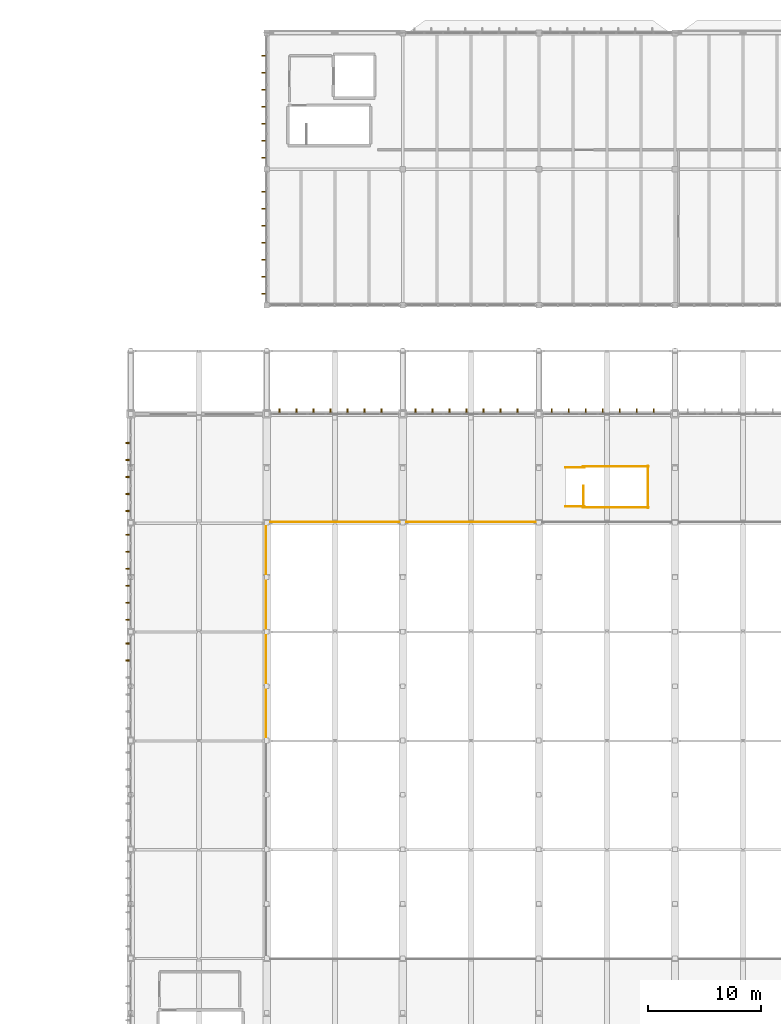
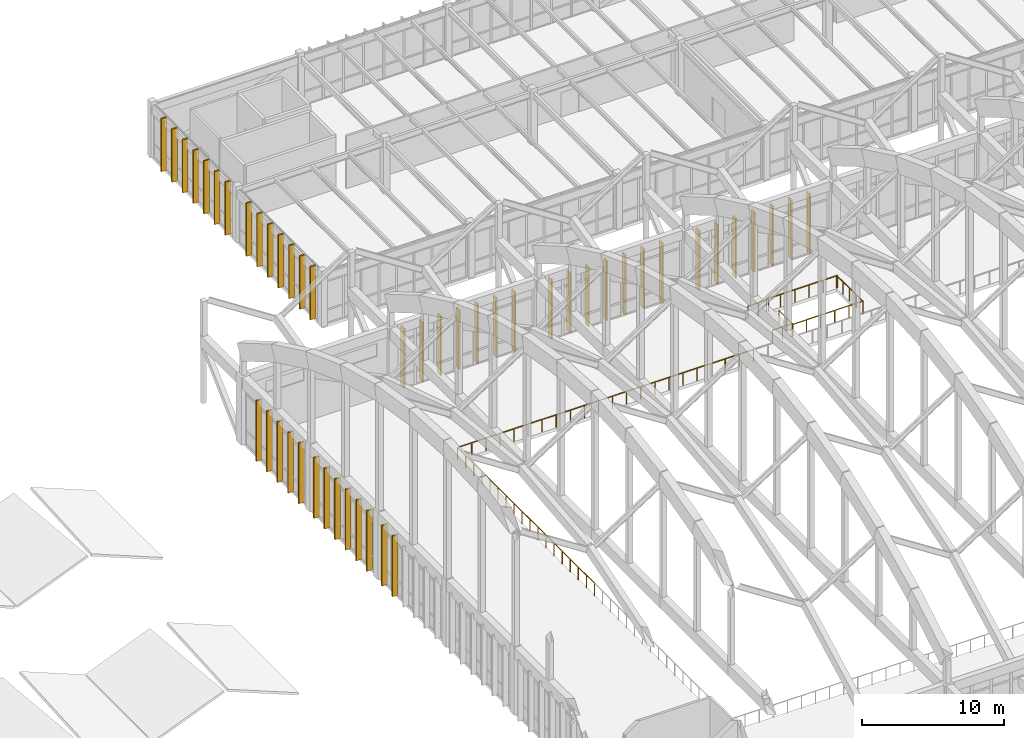
# One storey, part 228 of 236: 48 shading devices, 8 railings.
"""IFC4 building model written with IfcOpenShell, lengths in metres."""

from ifc_helpers import new_model, si_unit, direction, frame, origin, origin_2d, place, context, subcontext, project, spatial, rectangle, circle, extrude, material, type_object, element, save


model = new_model("IFC4")

# Units and contexts
model_context = context("Model", 3, precision=1e-05, world=origin(), true_north=direction((0.0, 1.0)))
body_context = subcontext(model_context, "Body", "Model", "MODEL_VIEW")
ifc_project = project(units=[si_unit("LENGTHUNIT", "METRE"), si_unit("AREAUNIT", "SQUARE_METRE"), si_unit("VOLUMEUNIT", "CUBIC_METRE"), si_unit("PLANEANGLEUNIT", "RADIAN"), si_unit("MASSUNIT", "GRAM", prefix="KILO")], contexts=[model_context])

# Site, building, storey
site_placement = place(None, origin())
site = spatial("IfcSite", under=ifc_project, at=site_placement, CompositionType="ELEMENT")
building_placement = place(site_placement, origin())
building = spatial("IfcBuilding", under=site, at=building_placement, Name="Pandanus Reach Market Hall", CompositionType="ELEMENT")
storey_placement = place(building_placement, frame((0.0, 0.0, 5.39990234375)))
storey = spatial("IfcBuildingStorey", under=building, at=storey_placement, Name="L01", CompositionType="ELEMENT", Elevation=5.39990234375)

# Shading devices
ifc_material_1 = material(Name="Precast concrete S50 (50 MPa)", Category="concrete")
shading_device_type = type_object("IfcShadingDeviceType", Name="FN-S50-450", PredefinedType="JALOUSIE", material=ifc_material_1)
for number, where, z_axis, x_axis, name in (
    (1, (61.125, 86.6201171875, -0.010009765625), (0.0, 0.0, 1.0), (0.0, 1.0, 0.0), "Precast brise-soleil fin 8"),
    (2, (62.625, 86.6201171875, -0.010009765625), (0.0, 0.0, 1.0), (0.0, 1.0, 0.0), "Precast brise-soleil fin 9"),
    (3, (64.125, 86.6201171875, -0.010009765625), (0.0, 0.0, 1.0), (0.0, 1.0, 0.0), "Precast brise-soleil fin 10"),
    (4, (65.625, 86.6201171875, -0.010009765625), (0.0, 0.0, 1.0), (0.0, 1.0, 0.0), "Precast brise-soleil fin 11"),
    (5, (67.125, 86.6201171875, -0.010009765625), (0.0, 0.0, 1.0), (0.0, 1.0, 0.0), "Precast brise-soleil fin 12"),
    (6, (68.625, 86.6201171875, -0.010009765625), (0.0, 0.0, 1.0), (0.0, 1.0, 0.0), "Precast brise-soleil fin 13"),
    (7, (70.125, 86.6201171875, -0.010009765625), (0.0, 0.0, 1.0), (0.0, 1.0, 0.0), "Precast brise-soleil fin 14"),
    (8, (73.125, 86.6201171875, -0.010009765625), (0.0, 0.0, 1.0), (0.0, 1.0, 0.0), "Precast brise-soleil fin 22"),
    (9, (74.625, 86.6201171875, -0.010009765625), (0.0, 0.0, 1.0), (0.0, 1.0, 0.0), "Precast brise-soleil fin 23"),
    (10, (76.125, 86.6201171875, -0.010009765625), (0.0, 0.0, 1.0), (0.0, 1.0, 0.0), "Precast brise-soleil fin 24"),
    (11, (77.625, 86.6201171875, -0.010009765625), (0.0, 0.0, 1.0), (0.0, 1.0, 0.0), "Precast brise-soleil fin 25"),
    (12, (79.125, 86.6201171875, -0.010009765625), (0.0, 0.0, 1.0), (0.0, 1.0, 0.0), "Precast brise-soleil fin 26"),
    (13, (80.625, 86.6201171875, -0.010009765625), (0.0, 0.0, 1.0), (0.0, 1.0, 0.0), "Precast brise-soleil fin 27"),
    (14, (82.125, 86.6201171875, -0.010009765625), (0.0, 0.0, 1.0), (0.0, 1.0, 0.0), "Precast brise-soleil fin 28"),
    (15, (85.125, 86.6201171875, -0.010009765625), (0.0, 0.0, 1.0), (0.0, 1.0, 0.0), "Precast brise-soleil fin 29"),
    (16, (86.625, 86.6201171875, -0.010009765625), (0.0, 0.0, 1.0), (0.0, 1.0, 0.0), "Precast brise-soleil fin 30"),
    (17, (88.125, 86.6201171875, -0.010009765625), (0.0, 0.0, 1.0), (0.0, 1.0, 0.0), "Precast brise-soleil fin 31"),
    (18, (89.625, 86.6201171875, -0.010009765625), (0.0, 0.0, 1.0), (0.0, 1.0, 0.0), "Precast brise-soleil fin 32"),
    (19, (91.125, 86.6201171875, -0.010009765625), (0.0, 0.0, 1.0), (0.0, 1.0, 0.0), "Precast brise-soleil fin 33"),
    (20, (92.625, 86.6201171875, -0.010009765625), (0.0, 0.0, 1.0), (0.0, 1.0, 0.0), "Precast brise-soleil fin 34"),
    (21, (94.125, 86.6201171875, -0.010009765625), (0.0, 0.0, 1.0), (0.0, 1.0, 0.0), "Precast brise-soleil fin 35"),
):
    element("IfcShadingDevice", number, at=place(storey_placement, frame(where, z_axis=z_axis, x_axis=x_axis)), inside=storey, type_object=shading_device_type, Name=name, PredefinedType="JALOUSIE", context=body_context, shape_type="SweptSolid", body=[
        extrude(rectangle(XDim=0.449951171875, YDim=0.1201171875, at=origin_2d()), origin(), (0.0, 0.0, 1.0), 5.1201171875),
    ])
for number, where, z_axis, x_axis, name in (
    (22, (47.780029296875, 64.64990234375, -0.009765625), (0.0, 0.0, 1.0), (-1.0, 0.0, 0.0), "Precast brise-soleil fin 130"),
    (23, (47.780029296875, 66.14990234375, -0.009765625), (0.0, 0.0, 1.0), (-1.0, 0.0, 0.0), "Precast brise-soleil fin 131"),
    (24, (47.780029296875, 68.25, -0.009765625), (0.0, 0.0, 1.0), (-1.0, 0.0, 0.0), "Precast brise-soleil fin 144"),
    (25, (47.780029296875, 69.75, -0.009765625), (0.0, 0.0, 1.0), (-1.0, 0.0, 0.0), "Precast brise-soleil fin 145"),
    (26, (47.780029296875, 71.25, -0.009765625), (0.0, 0.0, 1.0), (-1.0, 0.0, 0.0), "Precast brise-soleil fin 146"),
    (27, (47.780029296875, 72.75, -0.009765625), (0.0, 0.0, 1.0), (-1.0, 0.0, 0.0), "Precast brise-soleil fin 147"),
    (28, (47.780029296875, 74.25, -0.009765625), (0.0, 0.0, 1.0), (-1.0, 0.0, 0.0), "Precast brise-soleil fin 148"),
    (29, (47.780029296875, 75.75, -0.009765625), (0.0, 0.0, 1.0), (-1.0, 0.0, 0.0), "Precast brise-soleil fin 149"),
    (30, (47.780029296875, 77.85009765625, -0.009765625), (0.0, 0.0, 1.0), (-1.0, 0.0, 0.0), "Precast brise-soleil fin 161"),
    (31, (47.780029296875, 79.35009765625, -0.009765625), (0.0, 0.0, 1.0), (-1.0, 0.0, 0.0), "Precast brise-soleil fin 162"),
    (32, (47.780029296875, 80.85009765625, -0.009765625), (0.0, 0.0, 1.0), (-1.0, 0.0, 0.0), "Precast brise-soleil fin 163"),
    (33, (47.780029296875, 82.35009765625, -0.009765625), (0.0, 0.0, 1.0), (-1.0, 0.0, 0.0), "Precast brise-soleil fin 164"),
    (34, (47.780029296875, 83.85009765625, -0.009765625), (0.0, 0.0, 1.0), (-1.0, 0.0, 0.0), "Precast brise-soleil fin 165"),
):
    element("IfcShadingDevice", number, at=place(storey_placement, frame(where, z_axis=z_axis, x_axis=x_axis)), inside=storey, type_object=shading_device_type, Name=name, PredefinedType="JALOUSIE", context=body_context, shape_type="SweptSolid", body=[
        extrude(rectangle(XDim=0.449951171875, YDim=0.1201171875, at=origin_2d()), origin(), (0.0, 0.0, 1.0), 5.219970703125),
    ])
for number, where, z_axis, x_axis, name in (
    (35, (59.780029296875, 97.0, -0.009765625), (0.0, 0.0, 1.0), (-1.0, 0.0, 0.0), "Precast brise-soleil fin 647"),
    (36, (59.780029296875, 98.5, -0.009765625), (0.0, 0.0, 1.0), (-1.0, 0.0, 0.0), "Precast brise-soleil fin 648"),
    (37, (59.780029296875, 100.0, -0.009765625), (0.0, 0.0, 1.0), (-1.0, 0.0, 0.0), "Precast brise-soleil fin 649"),
    (38, (59.780029296875, 101.5, -0.009765625), (0.0, 0.0, 1.0), (-1.0, 0.0, 0.0), "Precast brise-soleil fin 650"),
    (39, (59.780029296875, 103.0, -0.009765625), (0.0, 0.0, 1.0), (-1.0, 0.0, 0.0), "Precast brise-soleil fin 651"),
    (40, (59.780029296875, 104.5, -0.009765625), (0.0, 0.0, 1.0), (-1.0, 0.0, 0.0), "Precast brise-soleil fin 652"),
    (41, (59.780029296875, 106.0, -0.009765625), (0.0, 0.0, 1.0), (-1.0, 0.0, 0.0), "Precast brise-soleil fin 653"),
    (42, (59.780029296875, 109.0, -0.009765625), (0.0, 0.0, 1.0), (-1.0, 0.0, 0.0), "Precast brise-soleil fin 668"),
    (43, (59.780029296875, 110.5, -0.009765625), (0.0, 0.0, 1.0), (-1.0, 0.0, 0.0), "Precast brise-soleil fin 669"),
    (44, (59.780029296875, 112.0, -0.009765625), (0.0, 0.0, 1.0), (-1.0, 0.0, 0.0), "Precast brise-soleil fin 670"),
    (45, (59.780029296875, 113.5, -0.009765625), (0.0, 0.0, 1.0), (-1.0, 0.0, 0.0), "Precast brise-soleil fin 671"),
    (46, (59.780029296875, 115.0, -0.009765625), (0.0, 0.0, 1.0), (-1.0, 0.0, 0.0), "Precast brise-soleil fin 672"),
    (47, (59.780029296875, 116.5, -0.009765625), (0.0, 0.0, 1.0), (-1.0, 0.0, 0.0), "Precast brise-soleil fin 673"),
    (48, (59.780029296875, 118.0, -0.009765625), (0.0, 0.0, 1.0), (-1.0, 0.0, 0.0), "Precast brise-soleil fin 674"),
):
    element("IfcShadingDevice", number, at=place(storey_placement, frame(where, z_axis=z_axis, x_axis=x_axis)), inside=storey, type_object=shading_device_type, Name=name, PredefinedType="JALOUSIE", context=body_context, shape_type="SweptSolid", body=[
        extrude(rectangle(XDim=0.449951171875, YDim=0.1201171875, at=origin_2d()), origin(), (0.0, 0.0, 1.0), 4.570068359375),
    ])

# Railings
ifc_material_2 = material(Name="Galvanised steel Grade 350 (350 MPa)", Category="steel")
railing_type = type_object("IfcRailingType", Name="GR-INT-110", PredefinedType="GUARDRAIL", material=ifc_material_2)
railing_1_placement = place(storey_placement, frame((87.949951171875, 78.199951171875, 0.0)))
element("IfcRailing", 49, at=railing_1_placement, inside=storey, type_object=railing_type, Name="Stair well top guard ST-09.158", PredefinedType="GUARDRAIL", context=body_context, shape_type="SweptSolid", body=[
    extrude(circle(Radius=0.02392578125, at=origin_2d()), frame((0.0, 0.0, 1.076171875), z_axis=(0.0, 1.0, 0.0), x_axis=(-1.0, 0.0, 0.0)), (0.0, 0.0, 1.0), 1.8701171875),
    extrude(circle(Radius=0.02099609375, at=origin_2d()), origin(), (0.0, 0.0, 1.0), 1.052001953125),
    extrude(circle(Radius=0.02099609375, at=origin_2d()), frame((0.0, 0.93505859375, 0.0)), (0.0, 0.0, 1.0), 1.052001953125),
    extrude(circle(Radius=0.02099609375, at=origin_2d()), frame((0.0, 1.8701171875, 0.0)), (0.0, 0.0, 1.0), 1.052001953125),
])
for number, where, name in (
    (50, (87.89990234375, 78.14990234375, 0.0), "Stair well top guard ST-09.159"),
    (51, (87.89990234375, 81.77001953125, 0.0), "Stair well top guard ST-09.160"),
):
    element("IfcRailing", number, at=place(storey_placement, frame(where)), inside=storey, type_object=railing_type, Name=name, PredefinedType="GUARDRAIL", context=body_context, shape_type="SweptSolid", body=[
        extrude(circle(Radius=0.02392578125, at=origin_2d()), frame((0.0, 0.0, 1.076171875), z_axis=(1.0, 0.0, 0.0), x_axis=(0.0, 1.0, 0.0)), (0.0, 0.0, 1.0), 5.77001953125),
        extrude(circle(Radius=0.02099609375, at=origin_2d()), origin(), (0.0, 0.0, 1.0), 1.052001953125),
        extrude(circle(Radius=0.02099609375, at=origin_2d()), frame((1.154052734375, 0.0, 0.0)), (0.0, 0.0, 1.0), 1.052001953125),
        extrude(circle(Radius=0.02099609375, at=origin_2d()), frame((2.30810546875, 0.0, 0.0)), (0.0, 0.0, 1.0), 1.052001953125),
        extrude(circle(Radius=0.02099609375, at=origin_2d()), frame((3.4619140625, 0.0, 0.0)), (0.0, 0.0, 1.0), 1.052001953125),
        extrude(circle(Radius=0.02099609375, at=origin_2d()), frame((4.615966796875, 0.0, 0.0)), (0.0, 0.0, 1.0), 1.052001953125),
        extrude(circle(Radius=0.02099609375, at=origin_2d()), frame((5.77001953125, 0.0, 0.0)), (0.0, 0.0, 1.0), 1.052001953125),
    ])
railing_2_placement = place(storey_placement, frame((93.6201171875, 78.10009765625, 0.0)))
element("IfcRailing", 52, at=railing_2_placement, inside=storey, type_object=railing_type, Name="Stair well top guard ST-09.161", PredefinedType="GUARDRAIL", context=body_context, shape_type="SweptSolid", body=[
    extrude(circle(Radius=0.02392578125, at=origin_2d()), frame((0.0, 0.0, 1.076171875), z_axis=(0.0, 1.0, 0.0), x_axis=(-1.0, 0.0, 0.0)), (0.0, 0.0, 1.0), 3.719970703125),
    extrude(circle(Radius=0.02099609375, at=origin_2d()), origin(), (0.0, 0.0, 1.0), 1.052001953125),
    extrude(circle(Radius=0.02099609375, at=origin_2d()), frame((0.0, 0.929931640625, 0.0)), (0.0, 0.0, 1.0), 1.052001953125),
    extrude(circle(Radius=0.02099609375, at=origin_2d()), frame((0.0, 1.85986328125, 0.0)), (0.0, 0.0, 1.0), 1.052001953125),
    extrude(circle(Radius=0.02099609375, at=origin_2d()), frame((0.0, 2.7900390625, 0.0)), (0.0, 0.0, 1.0), 1.052001953125),
    extrude(circle(Radius=0.02099609375, at=origin_2d()), frame((0.0, 3.719970703125, 0.0)), (0.0, 0.0, 1.0), 1.052001953125),
])
for number, where, name in (
    (53, (86.35009765625, 78.25, 0.0), "Stair well top guard ST-09.162"),
    (54, (86.35009765625, 81.669921875, 0.0), "Stair well top guard ST-09.163"),
):
    element("IfcRailing", number, at=place(storey_placement, frame(where)), inside=storey, type_object=railing_type, Name=name, PredefinedType="GUARDRAIL", context=body_context, shape_type="SweptSolid", body=[
        extrude(circle(Radius=0.02392578125, at=origin_2d()), frame((0.0, 0.0, 1.076171875), z_axis=(1.0, 0.0, 0.0), x_axis=(0.0, 1.0, 0.0)), (0.0, 0.0, 1.0), 1.64990234375),
        extrude(circle(Radius=0.02099609375, at=origin_2d()), origin(), (0.0, 0.0, 1.0), 1.052001953125),
        extrude(circle(Radius=0.02099609375, at=origin_2d()), frame((0.824951171875, 0.0, 0.0)), (0.0, 0.0, 1.0), 1.052001953125),
        extrude(circle(Radius=0.02099609375, at=origin_2d()), frame((1.64990234375, 0.0, 0.0)), (0.0, 0.0, 1.0), 1.052001953125),
    ])
railing_3_placement = place(storey_placement, frame((59.93994140625, 57.60009765625, 0.0)))
element("IfcRailing", 55, at=railing_3_placement, inside=storey, type_object=railing_type, Name="Market hall mezzanine balustrade 216", PredefinedType="GUARDRAIL", context=body_context, shape_type="SweptSolid", body=[
    extrude(circle(Radius=0.02392578125, at=origin_2d()), frame((0.0, 0.0, 1.076171875), z_axis=(0.0, 1.0, 0.0), x_axis=(-1.0, 0.0, 0.0)), (0.0, 0.0, 1.0), 19.260009765625),
    extrude(circle(Radius=0.02099609375, at=origin_2d()), origin(), (0.0, 0.0, 1.0), 1.052001953125),
    extrude(circle(Radius=0.02099609375, at=origin_2d()), frame((0.0, 1.133056640625, 0.0)), (0.0, 0.0, 1.0), 1.052001953125),
    extrude(circle(Radius=0.02099609375, at=origin_2d()), frame((0.0, 2.265869140625, 0.0)), (0.0, 0.0, 1.0), 1.052001953125),
    extrude(circle(Radius=0.02099609375, at=origin_2d()), frame((0.0, 3.39892578125, 0.0)), (0.0, 0.0, 1.0), 1.052001953125),
    extrude(circle(Radius=0.02099609375, at=origin_2d()), frame((0.0, 4.53173828125, 0.0)), (0.0, 0.0, 1.0), 1.052001953125),
    extrude(circle(Radius=0.02099609375, at=origin_2d()), frame((0.0, 5.664794921875, 0.0)), (0.0, 0.0, 1.0), 1.052001953125),
    extrude(circle(Radius=0.02099609375, at=origin_2d()), frame((0.0, 6.797607421875, 0.0)), (0.0, 0.0, 1.0), 1.052001953125),
    extrude(circle(Radius=0.02099609375, at=origin_2d()), frame((0.0, 7.9306640625, 0.0)), (0.0, 0.0, 1.0), 1.052001953125),
    extrude(circle(Radius=0.02099609375, at=origin_2d()), frame((0.0, 9.0634765625, 0.0)), (0.0, 0.0, 1.0), 1.052001953125),
    extrude(circle(Radius=0.02099609375, at=origin_2d()), frame((0.0, 10.196533203125, 0.0)), (0.0, 0.0, 1.0), 1.052001953125),
    extrude(circle(Radius=0.02099609375, at=origin_2d()), frame((0.0, 11.329345703125, 0.0)), (0.0, 0.0, 1.0), 1.052001953125),
    extrude(circle(Radius=0.02099609375, at=origin_2d()), frame((0.0, 12.46240234375, 0.0)), (0.0, 0.0, 1.0), 1.052001953125),
    extrude(circle(Radius=0.02099609375, at=origin_2d()), frame((0.0, 13.59521484375, 0.0)), (0.0, 0.0, 1.0), 1.052001953125),
    extrude(circle(Radius=0.02099609375, at=origin_2d()), frame((0.0, 14.728271484375, 0.0)), (0.0, 0.0, 1.0), 1.052001953125),
    extrude(circle(Radius=0.02099609375, at=origin_2d()), frame((0.0, 15.861083984375, 0.0)), (0.0, 0.0, 1.0), 1.052001953125),
    extrude(circle(Radius=0.02099609375, at=origin_2d()), frame((0.0, 16.994140625, 0.0)), (0.0, 0.0, 1.0), 1.052001953125),
    extrude(circle(Radius=0.02099609375, at=origin_2d()), frame((0.0, 18.126953125, 0.0)), (0.0, 0.0, 1.0), 1.052001953125),
    extrude(circle(Radius=0.02099609375, at=origin_2d()), frame((0.0, 19.260009765625, 0.0)), (0.0, 0.0, 1.0), 1.052001953125),
])
railing_4_placement = place(storey_placement, frame((59.93994140625, 76.860107421875, 0.0)))
element("IfcRailing", 56, at=railing_4_placement, inside=storey, type_object=railing_type, Name="Market hall mezzanine balustrade 217", PredefinedType="GUARDRAIL", context=body_context, shape_type="SweptSolid", body=[
    extrude(circle(Radius=0.02392578125, at=origin_2d()), frame((0.0, 0.0, 1.076171875), z_axis=(1.0, 0.0, 0.0), x_axis=(0.0, 1.0, 0.0)), (0.0, 0.0, 1.0), 24.06005859375),
    extrude(circle(Radius=0.02099609375, at=origin_2d()), origin(), (0.0, 0.0, 1.0), 1.052001953125),
    extrude(circle(Radius=0.02099609375, at=origin_2d()), frame((1.145751953125, 0.0, 0.0)), (0.0, 0.0, 1.0), 1.052001953125),
    extrude(circle(Radius=0.02099609375, at=origin_2d()), frame((2.29150390625, 0.0, 0.0)), (0.0, 0.0, 1.0), 1.052001953125),
    extrude(circle(Radius=0.02099609375, at=origin_2d()), frame((3.437255859375, 0.0, 0.0)), (0.0, 0.0, 1.0), 1.052001953125),
    extrude(circle(Radius=0.02099609375, at=origin_2d()), frame((4.582763671875, 0.0, 0.0)), (0.0, 0.0, 1.0), 1.052001953125),
    extrude(circle(Radius=0.02099609375, at=origin_2d()), frame((5.728515625, 0.0, 0.0)), (0.0, 0.0, 1.0), 1.052001953125),
    extrude(circle(Radius=0.02099609375, at=origin_2d()), frame((6.874267578125, 0.0, 0.0)), (0.0, 0.0, 1.0), 1.052001953125),
    extrude(circle(Radius=0.02099609375, at=origin_2d()), frame((8.02001953125, 0.0, 0.0)), (0.0, 0.0, 1.0), 1.052001953125),
    extrude(circle(Radius=0.02099609375, at=origin_2d()), frame((9.165771484375, 0.0, 0.0)), (0.0, 0.0, 1.0), 1.052001953125),
    extrude(circle(Radius=0.02099609375, at=origin_2d()), frame((10.3115234375, 0.0, 0.0)), (0.0, 0.0, 1.0), 1.052001953125),
    extrude(circle(Radius=0.02099609375, at=origin_2d()), frame((11.457275390625, 0.0, 0.0)), (0.0, 0.0, 1.0), 1.052001953125),
    extrude(circle(Radius=0.02099609375, at=origin_2d()), frame((12.602783203125, 0.0, 0.0)), (0.0, 0.0, 1.0), 1.052001953125),
    extrude(circle(Radius=0.02099609375, at=origin_2d()), frame((13.74853515625, 0.0, 0.0)), (0.0, 0.0, 1.0), 1.052001953125),
    extrude(circle(Radius=0.02099609375, at=origin_2d()), frame((14.894287109375, 0.0, 0.0)), (0.0, 0.0, 1.0), 1.052001953125),
    extrude(circle(Radius=0.02099609375, at=origin_2d()), frame((16.0400390625, 0.0, 0.0)), (0.0, 0.0, 1.0), 1.052001953125),
    extrude(circle(Radius=0.02099609375, at=origin_2d()), frame((17.185791015625, 0.0, 0.0)), (0.0, 0.0, 1.0), 1.052001953125),
    extrude(circle(Radius=0.02099609375, at=origin_2d()), frame((18.33154296875, 0.0, 0.0)), (0.0, 0.0, 1.0), 1.052001953125),
    extrude(circle(Radius=0.02099609375, at=origin_2d()), frame((19.477294921875, 0.0, 0.0)), (0.0, 0.0, 1.0), 1.052001953125),
    extrude(circle(Radius=0.02099609375, at=origin_2d()), frame((20.622802734375, 0.0, 0.0)), (0.0, 0.0, 1.0), 1.052001953125),
    extrude(circle(Radius=0.02099609375, at=origin_2d()), frame((21.7685546875, 0.0, 0.0)), (0.0, 0.0, 1.0), 1.052001953125),
    extrude(circle(Radius=0.02099609375, at=origin_2d()), frame((22.914306640625, 0.0, 0.0)), (0.0, 0.0, 1.0), 1.052001953125),
    extrude(circle(Radius=0.02099609375, at=origin_2d()), frame((24.06005859375, 0.0, 0.0)), (0.0, 0.0, 1.0), 1.052001953125),
])

save(model, "model.ifc")
